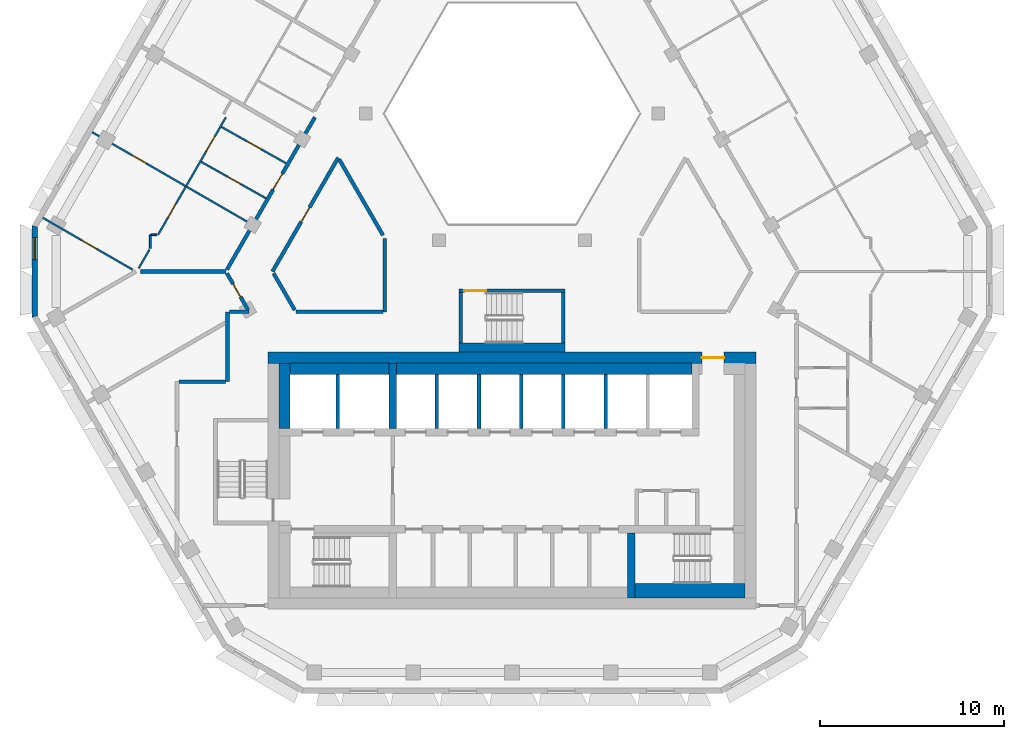
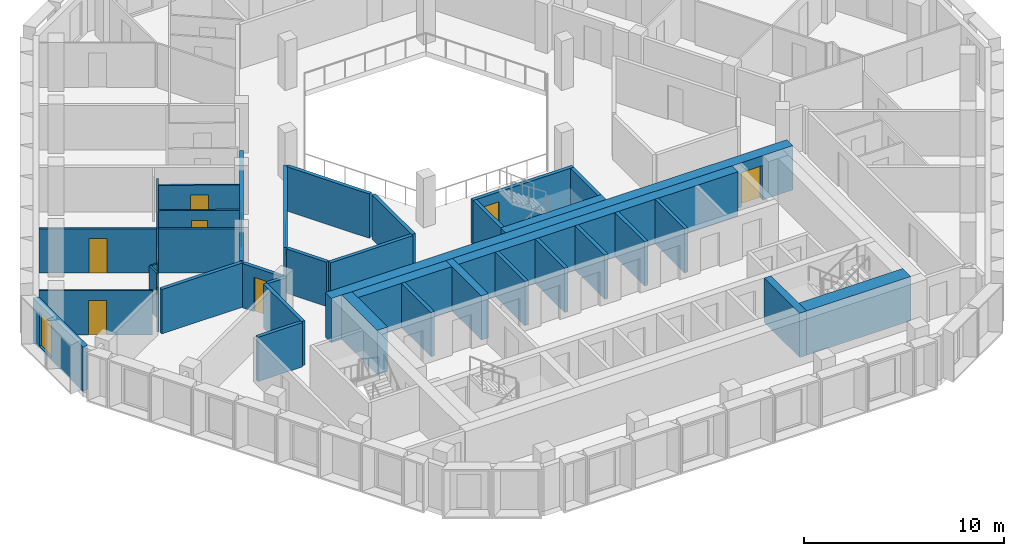
# One storey, part 4 of 15: 38 walls, 11 doors, 1 window, 12 openings.
"""IFC4 building model written with IfcOpenShell, lengths in metres."""

import ifcopenshell
import ifcopenshell.guid

model = None  # the IFC model being written
_history = None  # IfcOwnerHistory: only IFC2X3 demands one
_inside = {}  # id of a spatial element -> (the spatial element, [elements in it])
_under = {}  # id of a project, library or spatial element -> (it, [spatial elements below it])
_declared = {}  # id of a project -> (the project, [libraries it declares])
_typed = {}  # id of a type object -> (the type object, [elements of that type])
_made_of = {}  # id of a material, layer set ... -> (it, [elements and type objects made of it])


def new_model(schema):
    """Start an empty IFC model of exactly this schema.

    Asked for "IFC4X3", IfcOpenShell would pick the latest addendum, in which some entities
    have other attributes; the version numbers below select the first issue.
    IFC2X3 requires an IfcOwnerHistory on every rooted entity: one is made here for all.
    """
    global model, _history
    if schema == "IFC4X3":
        model = ifcopenshell.file(schema_version=(4, 3, 0, 0))
    else:
        model = ifcopenshell.file(schema=schema)
    _inside.clear()
    _under.clear()
    _declared.clear()
    _typed.clear()
    _made_of.clear()
    _history = None
    if model.schema == "IFC2X3":
        org = make("IfcOrganization", Name="unknown")
        user = make(
            "IfcPersonAndOrganization",
            ThePerson=make("IfcPerson", FamilyName="unknown"),
            TheOrganization=org,
        )
        app = make(
            "IfcApplication",
            ApplicationDeveloper=org,
            Version="unknown",
            ApplicationFullName="unknown",
            ApplicationIdentifier="unknown",
        )
        _history = make(
            "IfcOwnerHistory",
            OwningUser=user,
            OwningApplication=app,
            ChangeAction="ADDED",
            CreationDate=0,
        )
    return model


def make(cls, **values):
    """One entity of the class cls with the attributes given. An attribute that is None is left unset."""
    return model.create_entity(
        cls, **{name: value for name, value in values.items() if value is not None}
    )


def rooted(cls, **values):
    """An entity with a GlobalId (a new one), such as an element, a storey or a relation."""
    return make(cls, GlobalId=ifcopenshell.guid.new(), OwnerHistory=_history, **values)


def si_unit(unit_type, name, prefix=None):
    """IfcSIUnit, for example si_unit("LENGTHUNIT", "METRE", prefix="MILLI")."""
    return make("IfcSIUnit", UnitType=unit_type, Prefix=prefix, Name=name)


def assignment(units):
    """IfcUnitAssignment: the units of a project."""
    return None if units is None else make("IfcUnitAssignment", Units=units)


def point(xyz):
    """IfcCartesianPoint."""
    return None if xyz is None else make("IfcCartesianPoint", Coordinates=xyz)


def direction(xyz):
    """IfcDirection."""
    return None if xyz is None else make("IfcDirection", DirectionRatios=xyz)


def frame(location, z_axis=None, x_axis=None):
    """IfcAxis2Placement3D, a coordinate frame: its origin and axes. An axis left out is left unset."""
    return make(
        "IfcAxis2Placement3D",
        Location=point(location),
        Axis=direction(z_axis),
        RefDirection=direction(x_axis),
    )


def frame_2d(location, x_axis=None):
    """IfcAxis2Placement2D, a coordinate frame in the plane: its origin and x axis."""
    return make(
        "IfcAxis2Placement2D", Location=point(location), RefDirection=direction(x_axis)
    )


def origin():
    """The frame at (0, 0, 0) with its axes left unset."""
    return frame((0.0, 0.0, 0.0))


def place(relative_to, where):
    """IfcLocalPlacement: puts the frame where relative to a parent placement (None: the world)."""
    return make(
        "IfcLocalPlacement", PlacementRelTo=relative_to, RelativePlacement=where
    )


def context(
    kind, dimensions, precision=None, world=None, true_north=None, identifier=None
):
    """IfcGeometricRepresentationContext, for example the 3D "Model" context."""
    return make(
        "IfcGeometricRepresentationContext",
        ContextIdentifier=identifier,
        ContextType=kind,
        CoordinateSpaceDimension=dimensions,
        Precision=precision,
        WorldCoordinateSystem=world,
        TrueNorth=true_north,
    )


def subcontext(parent, identifier, kind, view, scale=None):
    """IfcGeometricRepresentationSubContext, for example "Body" below "Model"."""
    return make(
        "IfcGeometricRepresentationSubContext",
        ContextIdentifier=identifier,
        ContextType=kind,
        ParentContext=parent,
        TargetScale=scale,
        TargetView=view,
    )


def project(units=None, contexts=None):
    """IfcProject with its units and contexts."""
    return rooted(
        "IfcProject",
        Name="project",
        RepresentationContexts=contexts,
        UnitsInContext=assignment(units),
    )


def spatial(cls, under=None, at=None, **own):
    """A site, building, storey or space (cls), placed at a placement, below another one or the project."""
    s = rooted(cls, ObjectPlacement=at, **own)
    if under is not None:
        _under.setdefault(under.id(), (under, []))[1].append(s)
    return s


def polyline(points):
    """IfcPolyline through the points."""
    return make("IfcPolyline", Points=[point(p) for p in points])


def profile(cls, at=None, kind="AREA", **sizes):
    """A parametric profile (cls). Its sizes go by their IFC names, for example OverallWidth=200.0."""
    return make(cls, ProfileType=kind, Position=at, **sizes)


def rectangle(**sizes):
    """IfcRectangleProfileDef."""
    return profile("IfcRectangleProfileDef", **sizes)


def outline(outer, holes=None, kind="AREA"):
    """IfcArbitraryClosedProfileDef: a profile drawn as a closed curve; with holes, ...WithVoids."""
    if holes is None:
        return make("IfcArbitraryClosedProfileDef", ProfileType=kind, OuterCurve=outer)
    return make(
        "IfcArbitraryProfileDefWithVoids",
        ProfileType=kind,
        OuterCurve=outer,
        InnerCurves=holes,
    )


def extrude(swept, where, along, depth):
    """IfcExtrudedAreaSolid: the profile swept, set in the frame where, extruded along a direction by depth."""
    return make(
        "IfcExtrudedAreaSolid",
        SweptArea=swept,
        Position=where,
        ExtrudedDirection=direction(along),
        Depth=depth,
    )


def shape(context_of_items, identifier, shape_type, items):
    """IfcShapeRepresentation: the items that make up one representation, for example the "Body"."""
    return make(
        "IfcShapeRepresentation",
        ContextOfItems=context_of_items,
        RepresentationIdentifier=identifier,
        RepresentationType=shape_type,
        Items=items,
    )


def material(Name=None, Category=None):
    """IfcMaterial."""
    return make("IfcMaterial", Name=Name, Category=Category)


def layer(
    of_material, thickness, ventilated=None, Name=None, Category=None, Priority=None
):
    """IfcMaterialLayer: one layer of a wall or slab, of a material (None: an air gap)."""
    return make(
        "IfcMaterialLayer",
        Material=of_material,
        LayerThickness=thickness,
        IsVentilated=ventilated,
        Name=Name,
        Category=Category,
        Priority=Priority,
    )


def layer_set(layers, Name=None):
    """IfcMaterialLayerSet."""
    return make("IfcMaterialLayerSet", MaterialLayers=layers, LayerSetName=Name)


def made_of(thing, what):
    """Note that an element or type object is made of a material, layer set ...; save() writes the relation."""
    if what is not None:
        _made_of.setdefault(what.id(), (what, []))[1].append(thing)
    return thing


def type_object(cls, material=None, **own):
    """A type object (cls), such as IfcWallType, which elements share."""
    return made_of(rooted(cls, **own), material)


def element(
    cls,
    number,
    at=None,
    inside=None,
    cuts=None,
    type_object=None,
    material=None,
    context=None,
    identifier="Body",
    shape_type=None,
    held_by="IfcProductDefinitionShape",
    body=None,
    shapes=None,
    **own,
):
    """One element of the class cls, such as IfcWall. Its Tag is "e" and its number.

    at: its placement. inside: the storey or other place that contains it. cuts: it is an
    opening in that element (IfcRelVoidsElement). A single representation is given by context,
    identifier, shape_type and body (its items); several are given by shapes. held_by: the class
    of the entity that holds the representations. save() writes the other relations.
    """
    e = rooted(cls, Tag="e%d" % number, ObjectPlacement=at, **own)
    if body is not None:
        shapes = [shape(context, identifier, shape_type, body)]
    if shapes is not None:
        e.Representation = make(held_by, Representations=shapes)
    if inside is not None:
        _inside.setdefault(inside.id(), (inside, []))[1].append(e)
    if cuts is not None:
        rooted(
            "IfcRelVoidsElement", RelatingBuildingElement=cuts, RelatedOpeningElement=e
        )
    if type_object is not None:
        _typed.setdefault(type_object.id(), (type_object, []))[1].append(e)
    return made_of(e, material)


def fill(opening, filler):
    """IfcRelFillsElement: the door or window that sits in an opening."""
    return rooted(
        "IfcRelFillsElement",
        RelatingOpeningElement=opening,
        RelatedBuildingElement=filler,
    )


def aggregate(whole, parts):
    """IfcRelAggregates: a whole, such as a stair, and the parts it consists of."""
    return rooted("IfcRelAggregates", RelatingObject=whole, RelatedObjects=parts)


def save(model, path):
    """Write the relations noted so far, then the file.

    IfcRelAggregates (storeys below a building ...), IfcRelContainedInSpatialStructure (elements
    in a storey), IfcRelDefinesByType, IfcRelAssociatesMaterial and IfcRelDeclares: one each for
    every whole, place, type object, material and project.
    """
    for whole, parts in _under.values():
        aggregate(whole, parts)
    for where, things in _inside.values():
        rooted(
            "IfcRelContainedInSpatialStructure",
            RelatedElements=things,
            RelatingStructure=where,
        )
    for kind, things in _typed.values():
        rooted("IfcRelDefinesByType", RelatedObjects=things, RelatingType=kind)
    for what, things in _made_of.values():
        rooted("IfcRelAssociatesMaterial", RelatedObjects=things, RelatingMaterial=what)
    for by, libraries in _declared.values():
        rooted("IfcRelDeclares", RelatingContext=by, RelatedDefinitions=libraries)
    model.write(path)


model = new_model("IFC4")

# Units and contexts
model_context = context("Model", 3, precision=1e-05, world=origin(), true_north=direction((0.0, 1.0)))
body_context = subcontext(model_context, "Body", "Model", "MODEL_VIEW")
ifc_project = project(units=[si_unit("LENGTHUNIT", "METRE"), si_unit("AREAUNIT", "SQUARE_METRE"), si_unit("VOLUMEUNIT", "CUBIC_METRE"), si_unit("PLANEANGLEUNIT", "RADIAN"), si_unit("MASSUNIT", "GRAM", prefix="KILO")], contexts=[model_context])

# Site, building, storey
site_placement = place(None, origin())
site = spatial("IfcSite", under=ifc_project, at=site_placement, CompositionType="ELEMENT")
building_placement = place(site_placement, origin())
building = spatial("IfcBuilding", under=site, at=building_placement, Name="Beryl Residences", CompositionType="ELEMENT")
storey_placement = place(building_placement, frame((0.0, 0.0, 175.199951171875)))
storey = spatial("IfcBuildingStorey", under=building, at=storey_placement, Name="L53", CompositionType="ELEMENT", Elevation=175.199951171875)

# Wall, opening, window
ifc_material_1 = material(Name="Composite metal panel with mineral wool insulation")
ifc_layer_1 = layer(ifc_material_1, 0.300048828125)
ifc_layer_set_1 = layer_set([ifc_layer_1], Name="ES1 pale metal composite panel wall 300 mm")
wall_type_1 = type_object("IfcWallType", Name="ES1 pale metal composite panel wall 300 mm", PredefinedType="SOLIDWALL", material=ifc_layer_set_1)
wall_1_placement = place(storey_placement, frame((-26.00390625, 1.89990234375, 0.0), z_axis=(0.0, 0.0, 1.0), x_axis=(0.0, -1.0, 0.0)))
wall_1 = element("IfcWall", 1, at=wall_1_placement, inside=storey, type_object=wall_type_1, Name="ES1 external wall L53 NW-SW", PredefinedType="SOLIDWALL", context=body_context, shape_type="SweptSolid", body=[
    extrude(outline(polyline([(0.0, -0.14990234375), (5.0, -0.14990234375), (4.919677734375, 0.14990234375), (0.080322265625, 0.14990234375), (0.0, -0.14990234375)])), origin(), (0.0, 0.0, 1.0), 2.699951171875),
])
opening_1_placement = place(wall_1_placement, frame((0.64990234375, 0.0, 0.14990234375)))
opening_1 = element("IfcOpeningElement", 2, at=opening_1_placement, cuts=wall_1, Name="Opening W2", PredefinedType="OPENING", context=body_context, shape_type="SweptSolid", body=[
    extrude(rectangle(XDim=1.199951171875, YDim=2.10009765625, at=frame_2d((0.60009765625, 1.050048828125))), frame((0.0, 0.159912109375, 0.0), z_axis=(0.0, -1.0, 0.0), x_axis=(1.0, 0.0, 0.0)), (0.0, 0.0, 1.0), 0.320068359375),
])
ifc_material_2 = material(Name="Aluminium and clear glass", Category="aluminium")
window_type = type_object("IfcWindowType", Name="W2 chamfer window 1200 x 2100 mm", PartitioningType="SINGLE_PANEL", PredefinedType="WINDOW", material=ifc_material_2)
window_placement = place(opening_1_placement, origin())
window = element("IfcWindow", 3, at=window_placement, inside=storey, type_object=window_type, Name="W2 window L53 NW-SW 1", OverallHeight=2.10009765625, OverallWidth=1.199951171875, PartitioningType="SINGLE_PANEL", PredefinedType="WINDOW", context=body_context, shape_type="SweptSolid", body=[
    extrude(rectangle(XDim=1.199951171875, YDim=2.10009765625, at=frame_2d((0.60009765625, 1.050048828125))), frame((0.0, 0.030029296875, 0.0), z_axis=(0.0, -1.0, 0.0), x_axis=(1.0, 0.0, 0.0)), (0.0, 0.0, 1.0), 0.06005859375),
])
fill(opening_1, window)

# Wall, opening, door
ifc_material_3 = material(Name="Gypsum board partition on steel studs", Category="steel")
ifc_layer_2 = layer(ifc_material_3, 0.10009765625)
ifc_layer_set_2 = layer_set([ifc_layer_2], Name="PT1 partition 100 mm gypsum board on steel studs")
wall_type_2 = type_object("IfcWallType", Name="PT1 partition 100 mm gypsum board on steel studs", PredefinedType="PARTITIONING", material=ifc_layer_set_2)
wall_2_placement = place(storey_placement, frame((-16.931884765625, 5.3720703125, 0.0), z_axis=(0.0, 0.0, 1.0), x_axis=(0.871514356952, -0.490369988505, 0.0)))
wall_2 = element("IfcWall", 4, at=wall_2_placement, inside=storey, type_object=wall_type_2, Name="Wall PT1 L53 010", PredefinedType="PARTITIONING", context=body_context, shape_type="SweptSolid", body=[
    extrude(rectangle(XDim=4.05029296875, YDim=0.10009765625, at=frame_2d((2.025146484375, 0.0))), origin(), (0.0, 0.0, 1.0), 2.699951171875),
])
opening_2_placement = place(wall_2_placement, frame((1.64990234375, 0.0, 0.0)))
opening_2 = element("IfcOpeningElement", 5, at=opening_2_placement, cuts=wall_2, Name="Opening D1603", PredefinedType="OPENING", context=body_context, shape_type="SweptSolid", body=[
    extrude(rectangle(XDim=0.800048828125, YDim=2.10009765625, at=frame_2d((0.39990234375, 1.050048828125))), frame((0.0, 0.06005859375, 0.0), z_axis=(0.0, -1.0, 0.0), x_axis=(1.0, 0.0, 0.0)), (0.0, 0.0, 1.0), 0.1201171875),
])
ifc_material_4 = material(Name="Timber door leaf", Category="wood")
door_type_1 = type_object("IfcDoorType", Name="D3 bathroom door 800 x 2100 mm", OperationType="SINGLE_SWING_LEFT", PredefinedType="DOOR", material=ifc_material_4)
door_1_placement = place(opening_2_placement, origin())
door_1 = element("IfcDoor", 6, at=door_1_placement, inside=storey, type_object=door_type_1, Name="Door D1603 L53 001", OperationType="SINGLE_SWING_LEFT", OverallHeight=2.10009765625, OverallWidth=0.800048828125, PredefinedType="DOOR", context=body_context, shape_type="SweptSolid", body=[
    extrude(rectangle(XDim=0.800048828125, YDim=2.10009765625, at=frame_2d((0.39990234375, 1.050048828125))), frame((0.0, 0.02490234375, 0.0), z_axis=(0.0, -1.0, 0.0), x_axis=(1.0, 0.0, 0.0)), (0.0, 0.0, 1.0), 0.050048828125),
])
fill(opening_2, door_1)

wall_3_placement = place(storey_placement, frame((-15.83203125, 7.277099609375, 0.0), z_axis=(0.0, 0.0, 1.0), x_axis=(0.871528850672, -0.490344228523, 0.0)))
wall_3 = element("IfcWall", 7, at=wall_3_placement, inside=storey, type_object=wall_type_2, Name="Wall PT1 L53 011", PredefinedType="PARTITIONING", context=body_context, shape_type="SweptSolid", body=[
    extrude(rectangle(XDim=4.05029296875, YDim=0.10009765625, at=frame_2d((2.025146484375, 0.0))), origin(), (0.0, 0.0, 1.0), 2.699951171875),
])
opening_3_placement = place(wall_3_placement, frame((1.60009765625, 0.0, 0.0)))
opening_3 = element("IfcOpeningElement", 8, at=opening_3_placement, cuts=wall_3, Name="Opening D1602", PredefinedType="OPENING", context=body_context, shape_type="SweptSolid", body=[
    extrude(rectangle(XDim=0.89990234375, YDim=2.10009765625, at=frame_2d((0.449951171875, 1.050048828125))), frame((0.0, 0.06005859375, 0.0), z_axis=(0.0, -1.0, 0.0), x_axis=(1.0, 0.0, 0.0)), (0.0, 0.0, 1.0), 0.1201171875),
])
ifc_material_5 = material(Name="Timber door leaf", Category="wood")
door_type_2 = type_object("IfcDoorType", Name="D2 room door 900 x 2100 mm", OperationType="SINGLE_SWING_LEFT", PredefinedType="DOOR", material=ifc_material_5)
door_2_placement = place(opening_3_placement, origin())
door_2 = element("IfcDoor", 9, at=door_2_placement, inside=storey, type_object=door_type_2, Name="Door D1602 L53 001", OperationType="SINGLE_SWING_RIGHT", OverallHeight=2.10009765625, OverallWidth=0.89990234375, PredefinedType="DOOR", context=body_context, shape_type="SweptSolid", body=[
    extrude(rectangle(XDim=0.89990234375, YDim=2.10009765625, at=frame_2d((0.449951171875, 1.050048828125))), frame((0.0, 0.02490234375, 0.0), z_axis=(0.0, -1.0, 0.0), x_axis=(1.0, 0.0, 0.0)), (0.0, 0.0, 1.0), 0.050048828125),
])
fill(opening_3, door_2)

wall_4_placement = place(storey_placement, frame((-22.8701171875, 6.987060546875, 0.0), z_axis=(0.0, 0.0, 1.0), x_axis=(0.866022959057, -0.500004234368, 0.0)))
wall_4 = element("IfcWall", 10, at=wall_4_placement, inside=storey, type_object=wall_type_2, Name="Wall PT1 L53 012", PredefinedType="PARTITIONING", context=body_context, shape_type="SweptSolid", body=[
    extrude(rectangle(XDim=10.0, YDim=0.10009765625, at=frame_2d((5.0, 0.0))), origin(), (0.0, 0.0, 1.0), 2.699951171875),
])
opening_4_placement = place(wall_4_placement, frame((2.5, 0.0, 0.0)))
opening_4 = element("IfcOpeningElement", 11, at=opening_4_placement, cuts=wall_4, Name="Opening D1605", PredefinedType="OPENING", context=body_context, shape_type="SweptSolid", body=[
    extrude(rectangle(XDim=0.89990234375, YDim=2.10009765625, at=frame_2d((0.449951171875, 1.050048828125))), frame((0.0, 0.06005859375, 0.0), z_axis=(0.0, -1.0, 0.0), x_axis=(1.0, 0.0, 0.0)), (0.0, 0.0, 1.0), 0.1201171875),
])
door_3_placement = place(opening_4_placement, origin())
door_3 = element("IfcDoor", 12, at=door_3_placement, inside=storey, type_object=door_type_2, Name="Door D1605 L53 001", OperationType="SINGLE_SWING_LEFT", OverallHeight=2.10009765625, OverallWidth=0.89990234375, PredefinedType="DOOR", context=body_context, shape_type="SweptSolid", body=[
    extrude(rectangle(XDim=0.89990234375, YDim=2.10009765625, at=frame_2d((0.449951171875, 1.050048828125))), frame((0.0, 0.02490234375, 0.0), z_axis=(0.0, -1.0, 0.0), x_axis=(1.0, 0.0, 0.0)), (0.0, 0.0, 1.0), 0.050048828125),
])
fill(opening_4, door_3)

wall_5_placement = place(storey_placement, frame((-25.56201171875, 2.324951171875, 0.0), z_axis=(0.0, 0.0, 1.0), x_axis=(0.865998530728, -0.500046542611, 0.0)))
wall_5 = element("IfcWall", 13, at=wall_5_placement, inside=storey, type_object=wall_type_2, Name="Wall PT1 L53 013", PredefinedType="PARTITIONING", context=body_context, shape_type="SweptSolid", body=[
    extrude(rectangle(XDim=5.6513671875, YDim=0.10009765625, at=frame_2d((2.82568359375, 0.0))), origin(), (0.0, 0.0, 1.0), 2.699951171875),
])
opening_5_placement = place(wall_5_placement, frame((2.47607421875, 0.0, 0.0)))
opening_5 = element("IfcOpeningElement", 14, at=opening_5_placement, cuts=wall_5, Name="Opening D1606", PredefinedType="OPENING", context=body_context, shape_type="SweptSolid", body=[
    extrude(rectangle(XDim=0.89990234375, YDim=2.10009765625, at=frame_2d((0.449951171875, 1.050048828125))), frame((0.0, 0.06005859375, 0.0), z_axis=(0.0, -1.0, 0.0), x_axis=(1.0, 0.0, 0.0)), (0.0, 0.0, 1.0), 0.1201171875),
])
door_4_placement = place(opening_5_placement, origin())
door_4 = element("IfcDoor", 15, at=door_4_placement, inside=storey, type_object=door_type_2, Name="Door D1606 L53 001", OperationType="SINGLE_SWING_RIGHT", OverallHeight=2.10009765625, OverallWidth=0.89990234375, PredefinedType="DOOR", context=body_context, shape_type="SweptSolid", body=[
    extrude(rectangle(XDim=0.89990234375, YDim=2.10009765625, at=frame_2d((0.449951171875, 1.050048828125))), frame((0.0, 0.02490234375, 0.0), z_axis=(0.0, -1.0, 0.0), x_axis=(1.0, 0.0, 0.0)), (0.0, 0.0, 1.0), 0.050048828125),
])
fill(opening_5, door_4)

# Walls
wall_6_placement = place(storey_placement, frame((-19.64990234375, 1.39990234375, 0.0), z_axis=(0.0, 0.0, 1.0), x_axis=(1.0, 0.0, 0.0)))
element("IfcWall", 16, at=wall_6_placement, inside=storey, type_object=wall_type_2, Name="Wall PT1 L53 021", PredefinedType="PARTITIONING", context=body_context, shape_type="SweptSolid", body=[
    extrude(rectangle(XDim=0.308837890625, YDim=0.10009765625, at=frame_2d((0.154296875, 0.0))), origin(), (0.0, 0.0, 1.0), 2.699951171875),
])
wall_7_placement = place(storey_placement, frame((-20.337890625, -0.427001953125, 0.0), z_axis=(0.0, 0.0, 1.0), x_axis=(0.500069990121, 0.865984991198, 0.0)))
element("IfcWall", 17, at=wall_7_placement, inside=storey, type_object=wall_type_2, Name="Wall PT1 L53 028", PredefinedType="PARTITIONING", context=body_context, shape_type="SweptSolid", body=[
    extrude(rectangle(XDim=1.175537109375, YDim=0.10009765625, at=frame_2d((0.587890625, 0.0))), origin(), (0.0, 0.0, 1.0), 2.699951171875),
])

# Wall, opening, door
wall_8_placement = place(storey_placement, frame((-19.282958984375, 1.39990234375, 0.0), z_axis=(0.0, 0.0, 1.0), x_axis=(0.499847391584, 0.866113494368, 0.0)))
wall_8 = element("IfcWall", 18, at=wall_8_placement, inside=storey, type_object=wall_type_2, Name="Wall PT1 L53 029", PredefinedType="PARTITIONING", context=body_context, shape_type="SweptSolid", body=[
    extrude(rectangle(XDim=3.044921875, YDim=0.10009765625, at=frame_2d((1.5224609375, 0.0))), origin(), (0.0, 0.0, 1.0), 2.699951171875),
])
opening_6_placement = place(wall_8_placement, frame((1.123046875, 0.0, 0.0)))
opening_6 = element("IfcOpeningElement", 19, at=opening_6_placement, cuts=wall_8, Name="Opening D1607", PredefinedType="OPENING", context=body_context, shape_type="SweptSolid", body=[
    extrude(rectangle(XDim=0.800048828125, YDim=2.10009765625, at=frame_2d((0.39990234375, 1.050048828125))), frame((0.0, 0.06005859375, 0.0), z_axis=(0.0, -1.0, 0.0), x_axis=(1.0, 0.0, 0.0)), (0.0, 0.0, 1.0), 0.1201171875),
])
door_5_placement = place(opening_6_placement, origin())
door_5 = element("IfcDoor", 20, at=door_5_placement, inside=storey, type_object=door_type_1, Name="Door D1607 L53 001", OperationType="SINGLE_SWING_LEFT", OverallHeight=2.10009765625, OverallWidth=0.800048828125, PredefinedType="DOOR", context=body_context, shape_type="SweptSolid", body=[
    extrude(rectangle(XDim=0.800048828125, YDim=2.10009765625, at=frame_2d((0.39990234375, 1.050048828125))), frame((0.0, 0.02490234375, 0.0), z_axis=(0.0, -1.0, 0.0), x_axis=(1.0, 0.0, 0.0)), (0.0, 0.0, 1.0), 0.050048828125),
])
fill(opening_6, door_5)

# Wall
wall_9_placement = place(storey_placement, frame((-19.699951171875, 0.677978515625, 0.0), z_axis=(0.0, 0.0, 1.0), x_axis=(0.0, 1.0, 0.0)))
element("IfcWall", 21, at=wall_9_placement, inside=storey, type_object=wall_type_2, Name="Wall PT1 L53 039", PredefinedType="PARTITIONING", context=body_context, shape_type="SweptSolid", body=[
    extrude(rectangle(XDim=0.721923828125, YDim=0.10009765625, at=frame_2d((0.36083984375, 0.0))), origin(), (0.0, 0.0, 1.0), 2.699951171875),
])

# Wall, opening, door
wall_10_placement = place(storey_placement, frame((-17.760986328125, 4.037109375, 0.0), z_axis=(0.0, 0.0, 1.0), x_axis=(0.50009692756, 0.865969435399, 0.0)))
wall_10 = element("IfcWall", 22, at=wall_10_placement, inside=storey, type_object=wall_type_2, Name="Wall PT1 L53 046", PredefinedType="PARTITIONING", context=body_context, shape_type="SweptSolid", body=[
    extrude(rectangle(XDim=4.345458984375, YDim=0.10009765625, at=frame_2d((2.1728515625, 0.0))), origin(), (0.0, 0.0, 1.0), 2.699951171875),
])
opening_7_placement = place(wall_10_placement, frame((2.219970703125, 0.0, 0.0)))
opening_7 = element("IfcOpeningElement", 23, at=opening_7_placement, cuts=wall_10, Name="Opening D1604", PredefinedType="OPENING", context=body_context, shape_type="SweptSolid", body=[
    extrude(rectangle(XDim=0.89990234375, YDim=2.10009765625, at=frame_2d((0.449951171875, 1.050048828125))), frame((0.0, 0.06005859375, 0.0), z_axis=(0.0, -1.0, 0.0), x_axis=(1.0, 0.0, 0.0)), (0.0, 0.0, 1.0), 0.1201171875),
])
door_6_placement = place(opening_7_placement, origin())
door_6 = element("IfcDoor", 24, at=door_6_placement, inside=storey, type_object=door_type_2, Name="Door D1604 L53 001", OperationType="SINGLE_SWING_RIGHT", OverallHeight=2.10009765625, OverallWidth=0.89990234375, PredefinedType="DOOR", context=body_context, shape_type="SweptSolid", body=[
    extrude(rectangle(XDim=0.89990234375, YDim=2.10009765625, at=frame_2d((0.449951171875, 1.050048828125))), frame((0.0, 0.02490234375, 0.0), z_axis=(0.0, -1.0, 0.0), x_axis=(1.0, 0.0, 0.0)), (0.0, 0.0, 1.0), 0.050048828125),
])
fill(opening_7, door_6)

# Walls
ifc_material_6 = material(Name="Acoustic double stud gypsum board wall")
ifc_layer_3 = layer(ifc_material_6, 0.199951171875)
ifc_layer_set_3 = layer_set([ifc_layer_3], Name="PT3 party wall 200 mm acoustic double stud")
wall_type_3 = type_object("IfcWallType", Name="PT3 party wall 200 mm acoustic double stud", PredefinedType="PARTITIONING", material=ifc_layer_set_3)
wall_11_placement = place(storey_placement, frame((-20.238037109375, -0.60107421875, 0.0), z_axis=(0.0, 0.0, 1.0), x_axis=(1.0, 0.0, 0.0)))
element("IfcWall", 25, at=wall_11_placement, inside=storey, type_object=wall_type_3, Name="Wall PT3 L53 007", PredefinedType="PARTITIONING", context=body_context, shape_type="SweptSolid", body=[
    extrude(rectangle(XDim=4.650146484375, YDim=0.199951171875, at=frame_2d((2.3251953125, 0.0))), origin(), (0.0, 0.0, 1.0), 2.699951171875),
])
ifc_material_7 = material(Name="Double stud gypsum board wall")
ifc_layer_4 = layer(ifc_material_7, 0.199951171875)
ifc_layer_set_4 = layer_set([ifc_layer_4], Name="PT4 corridor wall 200 mm double stud")
wall_type_4 = type_object("IfcWallType", Name="PT4 corridor wall 200 mm double stud", PredefinedType="PARTITIONING", material=ifc_layer_set_4)
wall_12_placement = place(storey_placement, frame((-9.410888671875, 5.5, 0.0), z_axis=(0.0, 0.0, 1.0), x_axis=(0.500018099276, -0.86601495391, 0.0)))
element("IfcWall", 26, at=wall_12_placement, inside=storey, type_object=wall_type_4, Name="Wall PT4 L53 001", PredefinedType="PARTITIONING", context=body_context, shape_type="SweptSolid", body=[
    extrude(rectangle(XDim=4.765380859375, YDim=0.199951171875, at=frame_2d((2.3828125, 0.0))), origin(), (0.0, 0.0, 1.0), 2.699951171875),
])
wall_13_placement = place(storey_placement, frame((-12.989990234375, -0.700927734375, 0.0), z_axis=(0.0, 0.0, 1.0), x_axis=(0.499972710878, -0.866041158593, 0.0)))
element("IfcWall", 27, at=wall_13_placement, inside=storey, type_object=wall_type_4, Name="Wall PT4 L53 002", PredefinedType="PARTITIONING", context=body_context, shape_type="SweptSolid", body=[
    extrude(rectangle(XDim=2.308349609375, YDim=0.199951171875, at=frame_2d((1.154296875, 0.0))), origin(), (0.0, 0.0, 1.0), 2.699951171875),
])

# Wall, opening, door
wall_14_placement = place(storey_placement, frame((-15.530029296875, -0.700927734375, 0.0), z_axis=(0.0, 0.0, 1.0), x_axis=(0.499972710878, -0.866041158593, 0.0)))
wall_14 = element("IfcWall", 28, at=wall_14_placement, inside=storey, type_object=wall_type_4, Name="Wall PT4 L53 003", PredefinedType="PARTITIONING", context=body_context, shape_type="SweptSolid", body=[
    extrude(rectangle(XDim=2.308349609375, YDim=0.199951171875, at=frame_2d((1.154296875, 0.0))), origin(), (0.0, 0.0, 1.0), 2.699951171875),
])
opening_8_placement = place(wall_14_placement, frame((0.674072265625, 0.0, 0.0)))
opening_8 = element("IfcOpeningElement", 29, at=opening_8_placement, cuts=wall_14, Name="Opening D1608", PredefinedType="OPENING", context=body_context, shape_type="SweptSolid", body=[
    extrude(rectangle(XDim=0.800048828125, YDim=2.10009765625, at=frame_2d((0.39990234375, 1.050048828125))), frame((0.0, 0.10986328125, 0.0), z_axis=(0.0, -1.0, 0.0), x_axis=(1.0, 0.0, 0.0)), (0.0, 0.0, 1.0), 0.219970703125),
])
door_7_placement = place(opening_8_placement, origin())
door_7 = element("IfcDoor", 30, at=door_7_placement, inside=storey, type_object=door_type_1, Name="Door D1608 L53 001", OperationType="SINGLE_SWING_RIGHT", OverallHeight=2.10009765625, OverallWidth=0.800048828125, PredefinedType="DOOR", context=body_context, shape_type="SweptSolid", body=[
    extrude(rectangle(XDim=0.800048828125, YDim=2.10009765625, at=frame_2d((0.39990234375, 1.050048828125))), frame((0.0, 0.02490234375, 0.0), z_axis=(0.0, -1.0, 0.0), x_axis=(1.0, 0.0, 0.0)), (0.0, 0.0, 1.0), 0.050048828125),
])
fill(opening_8, door_7)

# Walls
wall_15_placement = place(storey_placement, frame((-18.14892578125, -6.60009765625, 0.0), z_axis=(0.0, 0.0, 1.0), x_axis=(1.0, 0.0, 0.0)))
element("IfcWall", 31, at=wall_15_placement, inside=storey, type_object=wall_type_4, Name="Wall PT4 L53 008", PredefinedType="PARTITIONING", context=body_context, shape_type="SweptSolid", body=[
    extrude(rectangle(XDim=2.548828125, YDim=0.199951171875, at=frame_2d((1.2744140625, 0.0))), origin(), (0.0, 0.0, 1.0), 2.699951171875),
])
wall_16_placement = place(storey_placement, frame((-15.39892578125, -2.800048828125, 0.0), z_axis=(0.0, 0.0, 1.0), x_axis=(1.0, 0.0, 0.0)))
element("IfcWall", 32, at=wall_16_placement, inside=storey, type_object=wall_type_4, Name="Wall PT4 L53 010", PredefinedType="PARTITIONING", context=body_context, shape_type="SweptSolid", body=[
    extrude(rectangle(XDim=1.080810546875, YDim=0.199951171875, at=frame_2d((0.54052734375, 0.0))), origin(), (0.0, 0.0, 1.0), 2.699951171875),
])
wall_17_placement = place(storey_placement, frame((-11.778076171875, -2.800048828125, 0.0), z_axis=(0.0, 0.0, 1.0), x_axis=(1.0, 0.0, 0.0)))
element("IfcWall", 33, at=wall_17_placement, inside=storey, type_object=wall_type_4, Name="Wall PT4 L53 011", PredefinedType="PARTITIONING", context=body_context, shape_type="SweptSolid", body=[
    extrude(rectangle(XDim=4.75, YDim=0.199951171875, at=frame_2d((2.375, 0.0))), origin(), (0.0, 0.0, 1.0), 2.699951171875),
])

# Wall, opening, door
wall_18_placement = place(storey_placement, frame((-13.048095703125, -0.60107421875, 0.0), z_axis=(0.0, 0.0, 1.0), x_axis=(0.499982180423, 0.866035691677, 0.0)))
wall_18 = element("IfcWall", 34, at=wall_18_placement, inside=storey, type_object=wall_type_4, Name="Wall PT4 L53 018", PredefinedType="PARTITIONING", context=body_context, shape_type="SweptSolid", body=[
    extrude(rectangle(XDim=7.160400390625, YDim=0.199951171875, at=frame_2d((3.580078125, 0.0))), origin(), (0.0, 0.0, 1.0), 2.699951171875),
])
opening_9_placement = place(wall_18_placement, frame((3.1298828125, 0.0, 0.0)))
opening_9 = element("IfcOpeningElement", 35, at=opening_9_placement, cuts=wall_18, Name="Opening D1642", PredefinedType="OPENING", context=body_context, shape_type="SweptSolid", body=[
    extrude(rectangle(XDim=0.89990234375, YDim=2.10009765625, at=frame_2d((0.449951171875, 1.050048828125))), frame((0.0, 0.10986328125, 0.0), z_axis=(0.0, -1.0, 0.0), x_axis=(1.0, 0.0, 0.0)), (0.0, 0.0, 1.0), 0.219970703125),
])
door_8_placement = place(opening_9_placement, origin())
door_8 = element("IfcDoor", 36, at=door_8_placement, inside=storey, type_object=door_type_2, Name="Door D1642 L53 001", OperationType="SINGLE_SWING_RIGHT", OverallHeight=2.10009765625, OverallWidth=0.89990234375, PredefinedType="DOOR", context=body_context, shape_type="SweptSolid", body=[
    extrude(rectangle(XDim=0.89990234375, YDim=2.10009765625, at=frame_2d((0.449951171875, 1.050048828125))), frame((0.0, 0.02490234375, 0.0), z_axis=(0.0, -1.0, 0.0), x_axis=(1.0, 0.0, 0.0)), (0.0, 0.0, 1.0), 0.050048828125),
])
fill(opening_9, door_8)

wall_19_placement = place(storey_placement, frame((-15.530029296875, -0.5009765625, 0.0), z_axis=(0.0, 0.0, 1.0), x_axis=(0.499952498232, 0.866052827206, 0.0)))
wall_19 = element("IfcWall", 37, at=wall_19_placement, inside=storey, type_object=wall_type_4, Name="Wall PT4 L53 019", PredefinedType="PARTITIONING", context=body_context, shape_type="SweptSolid", body=[
    extrude(rectangle(XDim=9.5849609375, YDim=0.199951171875, at=frame_2d((4.79248046875, 0.0))), origin(), (0.0, 0.0, 1.0), 2.699951171875),
])
opening_10_placement = place(wall_19_placement, frame((5.031005859375, 0.0, 0.0)))
opening_10 = element("IfcOpeningElement", 38, at=opening_10_placement, cuts=wall_19, Name="Opening D1601", PredefinedType="OPENING", context=body_context, shape_type="SweptSolid", body=[
    extrude(rectangle(XDim=1.0, YDim=2.10009765625, at=frame_2d((0.5, 1.050048828125))), frame((0.0, 0.10986328125, 0.0), z_axis=(0.0, -1.0, 0.0), x_axis=(1.0, 0.0, 0.0)), (0.0, 0.0, 1.0), 0.219970703125),
])
ifc_material_8 = material(Name="Timber door leaf", Category="wood")
door_type_3 = type_object("IfcDoorType", Name="D1 flat entrance door 1000 x 2100 mm", OperationType="SINGLE_SWING_LEFT", PredefinedType="DOOR", material=ifc_material_8)
door_9_placement = place(opening_10_placement, origin())
door_9 = element("IfcDoor", 39, at=door_9_placement, inside=storey, type_object=door_type_3, Name="Door D1601 L53 001", OperationType="SINGLE_SWING_LEFT", OverallHeight=2.10009765625, OverallWidth=1.0, PredefinedType="DOOR", context=body_context, shape_type="SweptSolid", body=[
    extrude(rectangle(XDim=1.0, YDim=2.10009765625, at=frame_2d((0.5, 1.050048828125))), frame((0.0, 0.02490234375, 0.0), z_axis=(0.0, -1.0, 0.0), x_axis=(1.0, 0.0, 0.0)), (0.0, 0.0, 1.0), 0.050048828125),
])
fill(opening_10, door_9)

# Walls
wall_20_placement = place(storey_placement, frame((-6.927978515625, -2.800048828125, 0.0), z_axis=(0.0, 0.0, 1.0), x_axis=(0.0, 1.0, 0.0)))
element("IfcWall", 40, at=wall_20_placement, inside=storey, type_object=wall_type_4, Name="Wall PT4 L53 023", PredefinedType="PARTITIONING", context=body_context, shape_type="SweptSolid", body=[
    extrude(rectangle(XDim=4.0, YDim=0.199951171875, at=frame_2d((2.0, 0.0))), origin(), (0.0, 0.0, 1.0), 2.699951171875),
])
wall_21_placement = place(storey_placement, frame((-15.5, -6.60009765625, 0.0), z_axis=(0.0, 0.0, 1.0), x_axis=(0.0, 1.0, 0.0)))
element("IfcWall", 41, at=wall_21_placement, inside=storey, type_object=wall_type_4, Name="Wall PT4 L53 024", PredefinedType="PARTITIONING", context=body_context, shape_type="SweptSolid", body=[
    extrude(rectangle(XDim=3.799072265625, YDim=0.199951171875, at=frame_2d((1.8994140625, 0.0))), origin(), (0.0, 0.0, 1.0), 2.699951171875),
])

# Wall, opening, door
ifc_material_9 = material(Name="Concrete C40/50", Category="concrete")
ifc_layer_5 = layer(ifc_material_9, 0.199951171875)
ifc_layer_set_5 = layer_set([ifc_layer_5], Name="PT5 stair enclosure wall 200 mm reinforced concrete C40/50")
wall_type_5 = type_object("IfcWallType", Name="PT5 stair enclosure wall 200 mm reinforced concrete C40/50", PredefinedType="SOLIDWALL", material=ifc_layer_set_5)
wall_22_placement = place(storey_placement, frame((-2.89990234375, -1.64990234375, 0.0), z_axis=(0.0, 0.0, 1.0), x_axis=(1.0, 0.0, 0.0)))
wall_22 = element("IfcWall", 42, at=wall_22_placement, inside=storey, type_object=wall_type_5, Name="Wall PT5 L53 001", PredefinedType="SOLIDWALL", context=body_context, shape_type="SweptSolid", body=[
    extrude(rectangle(XDim=5.7998046875, YDim=0.199951171875, at=frame_2d((2.89990234375, 0.0))), origin(), (0.0, 0.0, 1.0), 2.699951171875),
])
opening_11_placement = place(wall_22_placement, frame((0.300048828125, 0.0, 0.0)))
opening_11 = element("IfcOpeningElement", 43, at=opening_11_placement, cuts=wall_22, Name="Opening DS04", PredefinedType="OPENING", context=body_context, shape_type="SweptSolid", body=[
    extrude(rectangle(XDim=1.199951171875, YDim=2.10009765625, at=frame_2d((0.60009765625, 1.050048828125))), frame((0.0, 0.10986328125, 0.0), z_axis=(0.0, -1.0, 0.0), x_axis=(1.0, 0.0, 0.0)), (0.0, 0.0, 1.0), 0.219970703125),
])
ifc_material_10 = material(Name="Steel door leaf in steel frame", Category="steel")
door_type_4 = type_object("IfcDoorType", Name="D4 stair door 1200 x 2100 mm", OperationType="SINGLE_SWING_LEFT", PredefinedType="DOOR", material=ifc_material_10)
door_10_placement = place(opening_11_placement, origin())
door_10 = element("IfcDoor", 44, at=door_10_placement, inside=storey, type_object=door_type_4, Name="Door DS04 L53 001", OperationType="SINGLE_SWING_LEFT", OverallHeight=2.10009765625, OverallWidth=1.199951171875, PredefinedType="DOOR", context=body_context, shape_type="SweptSolid", body=[
    extrude(rectangle(XDim=1.199951171875, YDim=2.10009765625, at=frame_2d((0.60009765625, 1.050048828125))), frame((0.0, 0.02490234375, 0.0), z_axis=(0.0, -1.0, 0.0), x_axis=(1.0, 0.0, 0.0)), (0.0, 0.0, 1.0), 0.050048828125),
])
fill(opening_11, door_10)

# Walls
for number, where, z_axis, x_axis, name in (
    (45, (-2.800048828125, -4.5, 0.0), (0.0, 0.0, 1.0), (0.0, 1.0, 0.0), "Wall PT5 L53 002"),
    (46, (2.800048828125, -4.5, 0.0), (0.0, 0.0, 1.0), (0.0, 1.0, 0.0), "Wall PT5 L53 003"),
):
    element("IfcWall", number, at=place(storey_placement, frame(where, z_axis=z_axis, x_axis=x_axis)), inside=storey, type_object=wall_type_5, Name=name, PredefinedType="SOLIDWALL", context=body_context, shape_type="SweptSolid", body=[
        extrude(rectangle(XDim=2.75, YDim=0.199951171875, at=frame_2d((1.375, 0.0))), origin(), (0.0, 0.0, 1.0), 2.699951171875),
    ])
ifc_material_11 = material(Name="Concrete C40/50", Category="concrete")
ifc_layer_6 = layer(ifc_material_11, 0.5)
ifc_layer_set_6 = layer_set([ifc_layer_6], Name="PT5-500 stair enclosure wall 500 mm")
wall_type_6 = type_object("IfcWallType", Name="PT5-500 stair enclosure wall 500 mm", PredefinedType="SOLIDWALL", material=ifc_layer_set_6)
wall_23_placement = place(storey_placement, frame((-2.89990234375, -4.75, 0.0), z_axis=(0.0, 0.0, 1.0), x_axis=(1.0, 0.0, 0.0)))
element("IfcWall", 47, at=wall_23_placement, inside=storey, type_object=wall_type_6, Name="Wall PT5-500 L53 001", PredefinedType="SOLIDWALL", context=body_context, shape_type="SweptSolid", body=[
    extrude(rectangle(XDim=5.7998046875, YDim=0.5, at=frame_2d((2.89990234375, 0.0))), origin(), (0.0, 0.0, 1.0), 2.699951171875),
])
ifc_material_12 = material(Name="Concrete C40/50", Category="concrete")
ifc_layer_7 = layer(ifc_material_12, 0.800048828125)
ifc_layer_set_7 = layer_set([ifc_layer_7], Name="PT5-800 stair enclosure wall 800 mm")
wall_type_7 = type_object("IfcWallType", Name="PT5-800 stair enclosure wall 800 mm", PredefinedType="SOLIDWALL", material=ifc_layer_set_7)
wall_24_placement = place(storey_placement, frame((6.699951171875, -18.0, 0.0), z_axis=(0.0, 0.0, 1.0), x_axis=(1.0, 0.0, 0.0)))
element("IfcWall", 48, at=wall_24_placement, inside=storey, type_object=wall_type_7, Name="Stair wall 25", PredefinedType="SOLIDWALL", context=body_context, shape_type="SweptSolid", body=[
    extrude(rectangle(XDim=6.0, YDim=0.800048828125, at=frame_2d((3.0, 0.0))), origin(), (0.0, 0.0, 1.0), 2.699951171875),
])
ifc_material_13 = material(Name="Concrete C40/50", Category="concrete")
ifc_layer_8 = layer(ifc_material_13, 0.199951171875)
ifc_layer_set_8 = layer_set([ifc_layer_8], Name="PT6 lift shaft wall 200 mm reinforced concrete C40/50")
wall_type_8 = type_object("IfcWallType", Name="PT6 lift shaft wall 200 mm reinforced concrete C40/50", PredefinedType="SOLIDWALL", material=ifc_layer_set_8)
for number, where, z_axis, x_axis, name in (
    (49, (-9.5, -9.14990234375, 0.0), (0.0, 0.0, 1.0), (0.0, 1.0, 0.0), "Lift shaft wall 11"),
    (50, (-4.10009765625, -9.14990234375, 0.0), (0.0, 0.0, 1.0), (0.0, 1.0, 0.0), "Lift shaft wall 16"),
    (51, (-1.800048828125, -9.14990234375, 0.0), (0.0, 0.0, 1.0), (0.0, 1.0, 0.0), "Lift shaft wall 18"),
    (52, (0.5, -9.14990234375, 0.0), (0.0, 0.0, 1.0), (0.0, 1.0, 0.0), "Lift shaft wall 20"),
    (53, (2.800048828125, -9.14990234375, 0.0), (0.0, 0.0, 1.0), (0.0, 1.0, 0.0), "Lift shaft wall 22"),
    (54, (5.10009765625, -9.14990234375, 0.0), (0.0, 0.0, 1.0), (0.0, 1.0, 0.0), "Lift shaft wall 24"),
):
    element("IfcWall", number, at=place(storey_placement, frame(where, z_axis=z_axis, x_axis=x_axis)), inside=storey, type_object=wall_type_8, Name=name, PredefinedType="SOLIDWALL", context=body_context, shape_type="SweptSolid", body=[
        extrude(rectangle(XDim=2.949951171875, YDim=0.199951171875, at=frame_2d((1.47509765625, 0.0))), origin(), (0.0, 0.0, 1.0), 2.699951171875),
    ])
ifc_material_14 = material(Name="Concrete C40/50", Category="concrete")
ifc_layer_9 = layer(ifc_material_14, 0.60009765625)
ifc_layer_set_9 = layer_set([ifc_layer_9], Name="PT6-600 lift shaft wall 600 mm")
wall_type_9 = type_object("IfcWallType", Name="PT6-600 lift shaft wall 600 mm", PredefinedType="SOLIDWALL", material=ifc_layer_set_9)
wall_25_placement = place(storey_placement, frame((-12.39990234375, -9.14990234375, 0.0), z_axis=(0.0, 0.0, 1.0), x_axis=(0.0, 1.0, 0.0)))
element("IfcWall", 55, at=wall_25_placement, inside=storey, type_object=wall_type_9, Name="Lift shaft wall 07", PredefinedType="SOLIDWALL", context=body_context, shape_type="SweptSolid", body=[
    extrude(rectangle(XDim=3.5498046875, YDim=0.60009765625, at=frame_2d((1.77490234375, 0.0))), origin(), (0.0, 0.0, 1.0), 2.699951171875),
])
wall_26_placement = place(storey_placement, frame((-12.10009765625, -5.89990234375, 0.0), z_axis=(0.0, 0.0, 1.0), x_axis=(1.0, 0.0, 0.0)))
element("IfcWall", 56, at=wall_26_placement, inside=storey, type_object=wall_type_9, Name="Lift shaft wall 09", PredefinedType="SOLIDWALL", context=body_context, shape_type="SweptSolid", body=[
    extrude(rectangle(XDim=5.400146484375, YDim=0.60009765625, at=frame_2d((2.7001953125, 0.0))), origin(), (0.0, 0.0, 1.0), 2.699951171875),
])
wall_27_placement = place(storey_placement, frame((-6.300048828125, -5.89990234375, 0.0), z_axis=(0.0, 0.0, 1.0), x_axis=(1.0, 0.0, 0.0)))
element("IfcWall", 57, at=wall_27_placement, inside=storey, type_object=wall_type_9, Name="Lift shaft wall 14", PredefinedType="SOLIDWALL", context=body_context, shape_type="SweptSolid", body=[
    extrude(rectangle(XDim=16.10009765625, YDim=0.60009765625, at=frame_2d((8.050048828125, 0.0))), origin(), (0.0, 0.0, 1.0), 2.699951171875),
])

# Wall, opening, door
ifc_material_15 = material(Name="Concrete C50/60", Category="concrete")
ifc_layer_10 = layer(ifc_material_15, 0.60009765625)
ifc_layer_set_10 = layer_set([ifc_layer_10], Name="SW4 core outer wall 600 mm C50/60")
wall_type_10 = type_object("IfcWallType", Name="SW4 core outer wall 600 mm C50/60", PredefinedType="SHEAR", material=ifc_layer_set_10)
wall_28_placement = place(storey_placement, frame((-13.300048828125, -5.300048828125, 0.0), z_axis=(0.0, 0.0, 1.0), x_axis=(1.0, 0.0, 0.0)))
wall_28 = element("IfcWall", 58, at=wall_28_placement, inside=storey, type_object=wall_type_10, Name="Core wall N L53", PredefinedType="SHEAR", context=body_context, shape_type="SweptSolid", body=[
    extrude(rectangle(XDim=26.60009765625, YDim=0.60009765625, at=frame_2d((13.300048828125, 0.0))), origin(), (0.0, 0.0, 1.0), 2.699951171875),
])
opening_12_placement = place(wall_28_placement, frame((23.64990234375, 0.0, 0.0)))
opening_12 = element("IfcOpeningElement", 59, at=opening_12_placement, cuts=wall_28, Name="Opening FD-NORTH", PredefinedType="OPENING", context=body_context, shape_type="SweptSolid", body=[
    extrude(rectangle(XDim=1.199951171875, YDim=2.10009765625, at=frame_2d((0.60009765625, 1.050048828125))), frame((0.0, 0.31005859375, 0.0), z_axis=(0.0, -1.0, 0.0), x_axis=(1.0, 0.0, 0.0)), (0.0, 0.0, 1.0), 0.6201171875),
])
ifc_material_16 = material(Name="Steel door leaf in steel frame", Category="steel")
door_type_5 = type_object("IfcDoorType", Name="D22 lobby door 1200 x 2100 mm", OperationType="DOUBLE_DOOR_SINGLE_SWING", PredefinedType="DOOR", material=ifc_material_16)
door_11_placement = place(opening_12_placement, origin())
door_11 = element("IfcDoor", 60, at=door_11_placement, inside=storey, type_object=door_type_5, Name="Door FD-NORTH L53 001", OperationType="DOUBLE_DOOR_SINGLE_SWING", OverallHeight=2.10009765625, OverallWidth=1.199951171875, PredefinedType="DOOR", context=body_context, shape_type="SweptSolid", body=[
    extrude(rectangle(XDim=1.199951171875, YDim=2.10009765625, at=frame_2d((0.60009765625, 1.050048828125))), frame((0.0, 0.02490234375, 0.0), z_axis=(0.0, -1.0, 0.0), x_axis=(1.0, 0.0, 0.0)), (0.0, 0.0, 1.0), 0.050048828125),
])
fill(opening_12, door_11)

# Walls
ifc_material_17 = material(Name="Concrete C50/60", Category="concrete")
ifc_layer_11 = layer(ifc_material_17, 0.39990234375)
ifc_layer_set_11 = layer_set([ifc_layer_11], Name="SW9 core internal wall 400 mm C50/60")
wall_type_11 = type_object("IfcWallType", Name="SW9 core internal wall 400 mm C50/60", PredefinedType="SHEAR", material=ifc_layer_set_11)
for number, where, z_axis, x_axis, name in (
    (61, (6.5, -18.39990234375, 0.0), (0.0, 0.0, 1.0), (0.0, 1.0, 0.0), "Core wall XS2 L53"),
    (62, (-6.5, -9.14990234375, 0.0), (0.0, 0.0, 1.0), (0.0, 1.0, 0.0), "Core wall XN1 L53"),
):
    element("IfcWall", number, at=place(storey_placement, frame(where, z_axis=z_axis, x_axis=x_axis)), inside=storey, type_object=wall_type_11, Name=name, PredefinedType="SHEAR", context=body_context, shape_type="SweptSolid", body=[
        extrude(rectangle(XDim=3.5498046875, YDim=0.39990234375, at=frame_2d((1.77490234375, 0.0))), origin(), (0.0, 0.0, 1.0), 2.699951171875),
    ])

save(model, "model.ifc")
